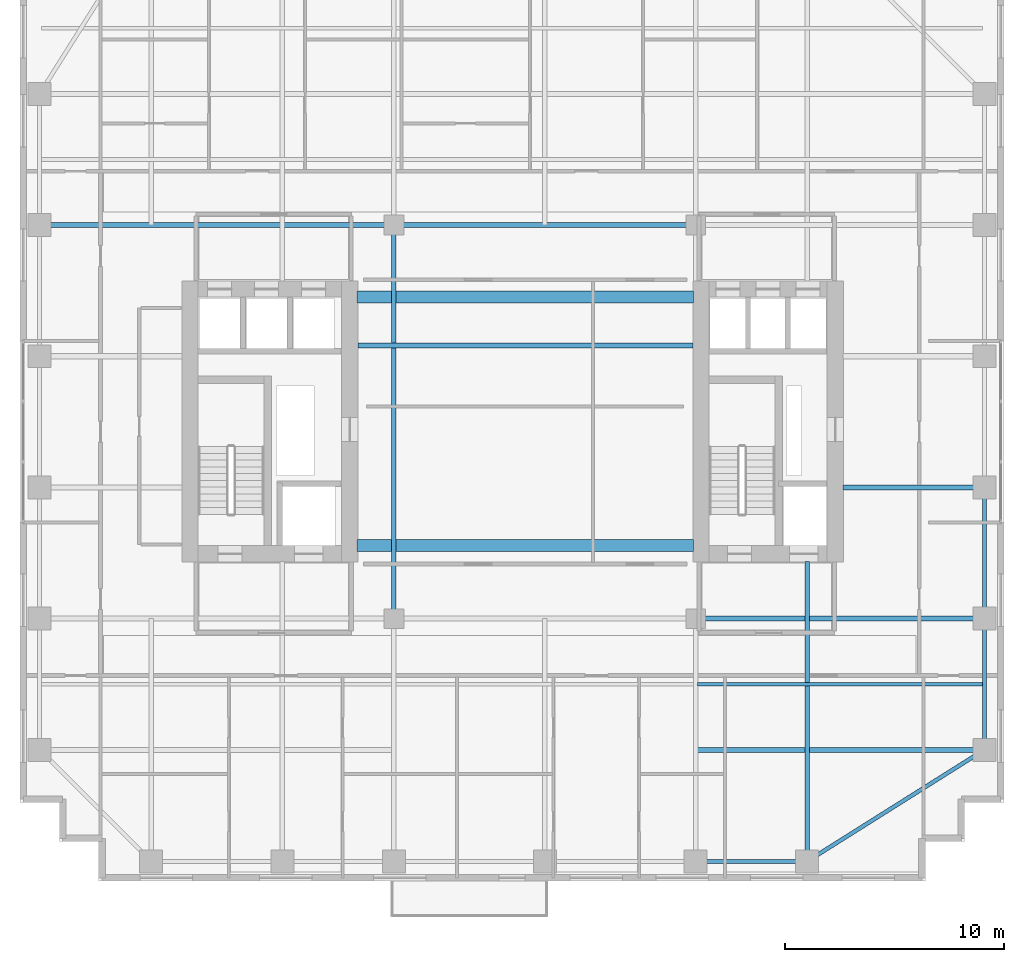
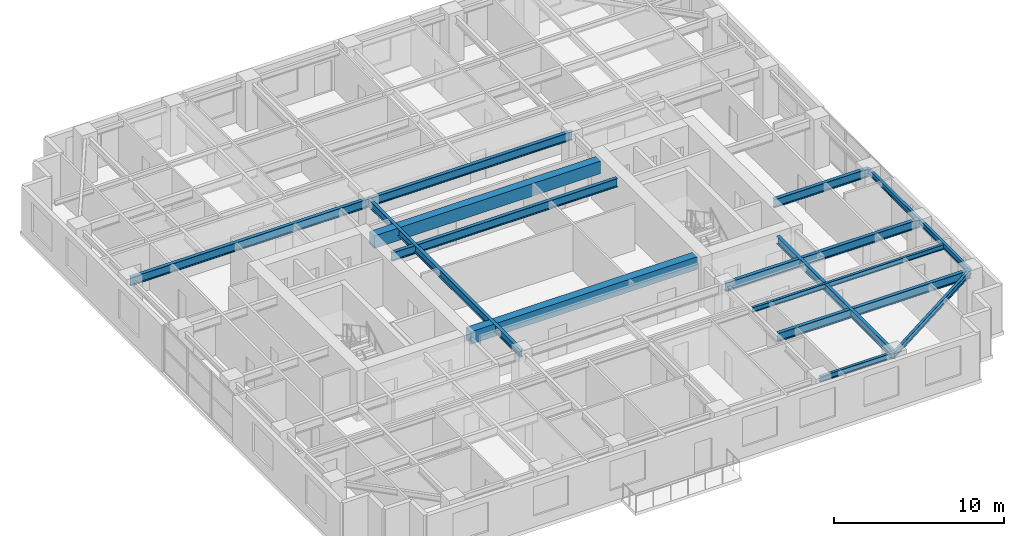
# One storey, part 3 of 16: 15 beams.
"""IFC4 building model written with IfcOpenShell, lengths in metres."""

from ifc_helpers import new_model, si_unit, direction, frame, origin, origin_2d, place, context, subcontext, project, spatial, rectangle, i_section, extrude, source, transform, mapped, material, material_profile, profile_set, type_object, element, save


model = new_model("IFC4")

# Units and contexts
model_context = context("Model", 3, precision=1e-05, world=origin(), true_north=direction((0.0, 1.0)))
body_context = subcontext(model_context, "Body", "Model", "MODEL_VIEW")
ifc_project = project(units=[si_unit("LENGTHUNIT", "METRE"), si_unit("AREAUNIT", "SQUARE_METRE"), si_unit("VOLUMEUNIT", "CUBIC_METRE"), si_unit("PLANEANGLEUNIT", "RADIAN"), si_unit("MASSUNIT", "GRAM", prefix="KILO")], contexts=[model_context])

# Site, building, storey
site_placement = place(None, origin())
site = spatial("IfcSite", under=ifc_project, at=site_placement, CompositionType="ELEMENT")
building_placement = place(site_placement, origin())
building = spatial("IfcBuilding", under=site, at=building_placement, Name="Khoralis Quay Care Tower", CompositionType="ELEMENT")
storey_placement = place(building_placement, frame((0.0, 0.0, 137.699951171875)))
storey = spatial("IfcBuildingStorey", under=building, at=storey_placement, Name="L36", CompositionType="ELEMENT", Elevation=137.699951171875)

# Beams
ifc_material_1 = material(Name="Concrete C65/80", Category="concrete")
ifc_material_profile_1 = material_profile(ifc_material_1, rectangle(XDim=0.550048828125, YDim=0.89990234375, at=origin_2d()), Name="Concrete C65/80")
ifc_profile_set_1 = profile_set([ifc_material_profile_1], Name="Concrete C65/80")
beam_type_1 = type_object("IfcBeamType", Name="CB-RC550X900", PredefinedType="LINTEL", material=ifc_profile_set_1)
shared_shape_1 = source(origin(), body_context, "Body", "SweptSolid", [
    extrude(rectangle(XDim=0.550048828125, YDim=0.89990234375, at=origin_2d()), origin(), (0.0, 0.0, 1.0), 15.380126953125),
])
for number, where, z_axis, x_axis, name in (
    (1, (15.419921875, 15.35009765625, 2.89013671875), (1.0, 0.0, 0.0), (0.0, 1.0, 0.0), "L36 South Core Coupling Lintel"),
    (2, (15.419921875, 26.699951171875, 2.89013671875), (1.0, 0.0, 0.0), (0.0, 1.0, 0.0), "L36 North Core Coupling Lintel"),
):
    element("IfcBeam", number, at=place(storey_placement, frame(where, z_axis=z_axis, x_axis=x_axis)), inside=storey, type_object=beam_type_1, Name=name, PredefinedType="LINTEL", context=body_context, shape_type="MappedRepresentation", body=[
        mapped(shared_shape_1, transform((0.0, 0.0, 0.0), scale=1.0)),
    ])
ifc_material_2 = material(Name="Steel S355", Category="steel")
ifc_material_profile_2 = material_profile(ifc_material_2, i_section(OverallWidth=0.179931640625, OverallDepth=0.39990234375, WebThickness=0.008544921875, FlangeThickness=0.013427734375, FilletRadius=0.02099609375, at=origin_2d()), Name="Steel S355")
ifc_profile_set_2 = profile_set([ifc_material_profile_2], Name="Steel S355")
beam_type_2 = type_object("IfcBeamType", Name="BM-IPE400", PredefinedType="SPANDREL", material=ifc_profile_set_2)
shared_shape_2 = source(origin(), body_context, "Body", "SweptSolid", [
    extrude(i_section(OverallWidth=0.179931640625, OverallDepth=0.39990234375, WebThickness=0.008544921875, FlangeThickness=0.013427734375, FilletRadius=0.02099609375, at=origin_2d()), origin(), (0.0, 0.0, 1.0), 6.0),
])
for number, where, z_axis, x_axis, name in (
    (3, (44.10009765625, 6.0, 3.14013671875), (0.0, 1.0, 0.0), (-1.0, 0.0, 0.0), "BM-TSP-L36-16"),
    (4, (44.10009765625, 12.0, 3.14013671875), (0.0, 1.0, 0.0), (-1.0, 0.0, 0.0), "BM-TSP-L36-17"),
):
    element("IfcBeam", number, at=place(storey_placement, frame(where, z_axis=z_axis, x_axis=x_axis)), inside=storey, type_object=beam_type_2, Name=name, PredefinedType="SPANDREL", context=body_context, shape_type="MappedRepresentation", body=[
        mapped(shared_shape_2, transform((0.0, 0.0, 0.0), scale=1.0)),
    ])
shared_shape_3 = source(origin(), body_context, "Body", "SweptSolid", [
    extrude(i_section(OverallWidth=0.179931640625, OverallDepth=0.39990234375, WebThickness=0.008544921875, FlangeThickness=0.013427734375, FilletRadius=0.02099609375, at=origin_2d()), origin(), (0.0, 0.0, 1.0), 5.10009765625),
])
beam_1_placement = place(storey_placement, frame((30.89990234375, 0.89990234375, 3.14013671875), z_axis=(1.0, 0.0, 0.0), x_axis=(0.0, 1.0, 0.0)))
element("IfcBeam", 5, at=beam_1_placement, inside=storey, type_object=beam_type_2, Name="BM-TSP-L36-05", PredefinedType="SPANDREL", context=body_context, shape_type="MappedRepresentation", body=[
    mapped(shared_shape_3, transform((0.0, 0.0, 0.0), scale=1.0)),
])
shared_shape_4 = source(origin(), body_context, "Body", "SweptSolid", [
    extrude(i_section(OverallWidth=0.179931640625, OverallDepth=0.39990234375, WebThickness=0.008544921875, FlangeThickness=0.013427734375, FilletRadius=0.02099609375, at=origin_2d()), origin(), (0.0, 0.0, 1.0), 9.572021484375),
])
beam_2_placement = place(storey_placement, frame((36.0, 0.89990234375, 3.14013671875), z_axis=(0.846231136359, 0.532815975602, 0.0), x_axis=(-0.532815975602, 0.846231136359, 0.0)))
element("IfcBeam", 6, at=beam_2_placement, inside=storey, type_object=beam_type_2, Name="BM-TCR-L36-22", PredefinedType="SPANDREL", context=body_context, shape_type="MappedRepresentation", body=[
    mapped(shared_shape_4, transform((0.0, 0.0, 0.0), scale=1.0)),
])
ifc_material_profile_3 = material_profile(ifc_material_2, i_section(OverallWidth=0.22998046875, OverallDepth=0.616943359375, WebThickness=0.01318359375, FlangeThickness=0.022216796875, FilletRadius=0.01806640625, at=origin_2d()), Name="Steel S355")
ifc_profile_set_3 = profile_set([ifc_material_profile_3], Name="Steel S355")
beam_type_3 = type_object("IfcBeamType", Name="BM-W610X140", PredefinedType="BEAM", material=ifc_profile_set_3)
shared_shape_5 = source(origin(), body_context, "Body", "SweptSolid", [
    extrude(i_section(OverallWidth=0.22998046875, OverallDepth=0.616943359375, WebThickness=0.01318359375, FlangeThickness=0.022216796875, FilletRadius=0.01806640625, at=origin_2d()), origin(), (0.0, 0.0, 1.0), 16.2001953125),
])
beam_3_placement = place(storey_placement, frame((0.89990234375, 30.0, 3.031494140625), z_axis=(1.0, 0.0, 0.0), x_axis=(0.0, 1.0, 0.0)))
element("IfcBeam", 7, at=beam_3_placement, inside=storey, type_object=beam_type_3, Name="BM-TGXW-L36-300", PredefinedType="BEAM", context=body_context, shape_type="MappedRepresentation", body=[
    mapped(shared_shape_5, transform((0.0, 0.0, 0.0), scale=1.0)),
])
shared_shape_6 = source(origin(), body_context, "Body", "SweptSolid", [
    extrude(i_section(OverallWidth=0.22998046875, OverallDepth=0.616943359375, WebThickness=0.01318359375, FlangeThickness=0.022216796875, FilletRadius=0.01806640625, at=origin_2d()), origin(), (0.0, 0.0, 1.0), 13.106201171875),
])
beam_4_placement = place(storey_placement, frame((30.993896484375, 6.0, 3.031494140625), z_axis=(1.0, 0.0, 0.0), x_axis=(0.0, 1.0, 0.0)))
element("IfcBeam", 8, at=beam_4_placement, inside=storey, type_object=beam_type_3, Name="BM-TGXE-L36-60", PredefinedType="BEAM", context=body_context, shape_type="MappedRepresentation", body=[
    mapped(shared_shape_6, transform((0.0, 0.0, 0.0), scale=1.0)),
])
shared_shape_7 = source(origin(), body_context, "Body", "SweptSolid", [
    extrude(i_section(OverallWidth=0.22998046875, OverallDepth=0.616943359375, WebThickness=0.01318359375, FlangeThickness=0.022216796875, FilletRadius=0.01806640625, at=origin_2d()), origin(), (0.0, 0.0, 1.0), 13.2001953125),
])
beam_5_placement = place(storey_placement, frame((30.89990234375, 12.0, 3.031494140625), z_axis=(1.0, 0.0, 0.0), x_axis=(0.0, 1.0, 0.0)))
element("IfcBeam", 9, at=beam_5_placement, inside=storey, type_object=beam_type_3, Name="BM-TGXE-L36-120", PredefinedType="BEAM", context=body_context, shape_type="MappedRepresentation", body=[
    mapped(shared_shape_7, transform((0.0, 0.0, 0.0), scale=1.0)),
])
shared_shape_8 = source(origin(), body_context, "Body", "SweptSolid", [
    extrude(i_section(OverallWidth=0.22998046875, OverallDepth=0.616943359375, WebThickness=0.01318359375, FlangeThickness=0.022216796875, FilletRadius=0.01806640625, at=origin_2d()), origin(), (0.0, 0.0, 1.0), 6.4521484375),
])
beam_6_placement = place(storey_placement, frame((37.64794921875, 18.0, 3.031494140625), z_axis=(1.0, 0.0, 0.0), x_axis=(0.0, 1.0, 0.0)))
element("IfcBeam", 10, at=beam_6_placement, inside=storey, type_object=beam_type_3, Name="BM-TGXE-L36-180", PredefinedType="BEAM", context=body_context, shape_type="MappedRepresentation", body=[
    mapped(shared_shape_8, transform((0.0, 0.0, 0.0), scale=1.0)),
])
shared_shape_9 = source(origin(), body_context, "Body", "SweptSolid", [
    extrude(i_section(OverallWidth=0.22998046875, OverallDepth=0.616943359375, WebThickness=0.01318359375, FlangeThickness=0.022216796875, FilletRadius=0.01806640625, at=origin_2d()), origin(), (0.0, 0.0, 1.0), 13.7998046875),
])
beam_7_placement = place(storey_placement, frame((17.10009765625, 30.0, 3.031494140625), z_axis=(1.0, 0.0, 0.0), x_axis=(0.0, 1.0, 0.0)))
element("IfcBeam", 11, at=beam_7_placement, inside=storey, type_object=beam_type_3, Name="BM-TGCC-L36-300", PredefinedType="BEAM", context=body_context, shape_type="MappedRepresentation", body=[
    mapped(shared_shape_9, transform((0.0, 0.0, 0.0), scale=1.0)),
])
shared_shape_10 = source(origin(), body_context, "Body", "SweptSolid", [
    extrude(i_section(OverallWidth=0.22998046875, OverallDepth=0.616943359375, WebThickness=0.01318359375, FlangeThickness=0.022216796875, FilletRadius=0.01806640625, at=origin_2d()), origin(), (0.0, 0.0, 1.0), 15.323974609375),
])
beam_8_placement = place(storey_placement, frame((15.447998046875, 24.5, 3.031494140625), z_axis=(1.0, 0.0, 0.0), x_axis=(0.0, 1.0, 0.0)))
element("IfcBeam", 12, at=beam_8_placement, inside=storey, type_object=beam_type_3, Name="BM-TGCC-L36-245", PredefinedType="BEAM", context=body_context, shape_type="MappedRepresentation", body=[
    mapped(shared_shape_10, transform((0.0, 0.0, 0.0), scale=1.0)),
])
ifc_material_profile_4 = material_profile(ifc_material_2, i_section(OverallWidth=0.2119140625, OverallDepth=0.5439453125, WebThickness=0.01318359375, FlangeThickness=0.021240234375, FilletRadius=0.01611328125, at=origin_2d()), Name="Steel S355")
ifc_profile_set_4 = profile_set([ifc_material_profile_4], Name="Steel S355")
beam_type_4 = type_object("IfcBeamType", Name="BM-W530X123", PredefinedType="BEAM", material=ifc_profile_set_4)
shared_shape_11 = source(origin(), body_context, "Body", "SweptSolid", [
    extrude(i_section(OverallWidth=0.2119140625, OverallDepth=0.5439453125, WebThickness=0.01318359375, FlangeThickness=0.021240234375, FilletRadius=0.01611328125, at=origin_2d()), origin(), (0.0, 0.0, 1.0), 13.7021484375),
])
beam_9_placement = place(storey_placement, frame((36.0, 0.89990234375, 3.068115234375), z_axis=(0.0, 1.0, 0.0), x_axis=(-1.0, 0.0, 0.0)))
element("IfcBeam", 13, at=beam_9_placement, inside=storey, type_object=beam_type_4, Name="BM-TGYS-L36-360", PredefinedType="BEAM", context=body_context, shape_type="MappedRepresentation", body=[
    mapped(shared_shape_11, transform((0.0, 0.0, 0.0), scale=1.0)),
])
shared_shape_12 = source(origin(), body_context, "Body", "SweptSolid", [
    extrude(i_section(OverallWidth=0.2119140625, OverallDepth=0.5439453125, WebThickness=0.01318359375, FlangeThickness=0.021240234375, FilletRadius=0.01611328125, at=origin_2d()), origin(), (0.0, 0.0, 1.0), 18.0),
])
beam_10_placement = place(storey_placement, frame((17.10009765625, 12.0, 3.068115234375), z_axis=(0.0, 1.0, 0.0), x_axis=(-1.0, 0.0, 0.0)))
element("IfcBeam", 14, at=beam_10_placement, inside=storey, type_object=beam_type_4, Name="BM-TGSW-L36", PredefinedType="BEAM", context=body_context, shape_type="MappedRepresentation", body=[
    mapped(shared_shape_12, transform((0.0, 0.0, 0.0), scale=1.0)),
])
ifc_material_profile_5 = material_profile(ifc_material_2, i_section(OverallWidth=0.1708984375, OverallDepth=0.35498046875, WebThickness=0.007080078125, FlangeThickness=0.01171875, FilletRadius=0.012939453125, at=origin_2d()), Name="Steel S355")
ifc_profile_set_5 = profile_set([ifc_material_profile_5], Name="Steel S355")
beam_type_5 = type_object("IfcBeamType", Name="BM-W360X51", PredefinedType="JOIST", material=ifc_profile_set_5)
shared_shape_13 = source(origin(), body_context, "Body", "SweptSolid", [
    extrude(i_section(OverallWidth=0.1708984375, OverallDepth=0.35498046875, WebThickness=0.007080078125, FlangeThickness=0.01171875, FilletRadius=0.012939453125, at=origin_2d()), origin(), (0.0, 0.0, 1.0), 13.030029296875),
])
beam_11_placement = place(storey_placement, frame((30.993896484375, 9.0, 3.16259765625), z_axis=(1.0, 0.0, 0.0), x_axis=(0.0, 1.0, 0.0)))
element("IfcBeam", 15, at=beam_11_placement, inside=storey, type_object=beam_type_5, Name="BM-TJS-L36-26", PredefinedType="JOIST", context=body_context, shape_type="MappedRepresentation", body=[
    mapped(shared_shape_13, transform((0.0, 0.0, 0.0), scale=1.0)),
])

save(model, "model.ifc")
